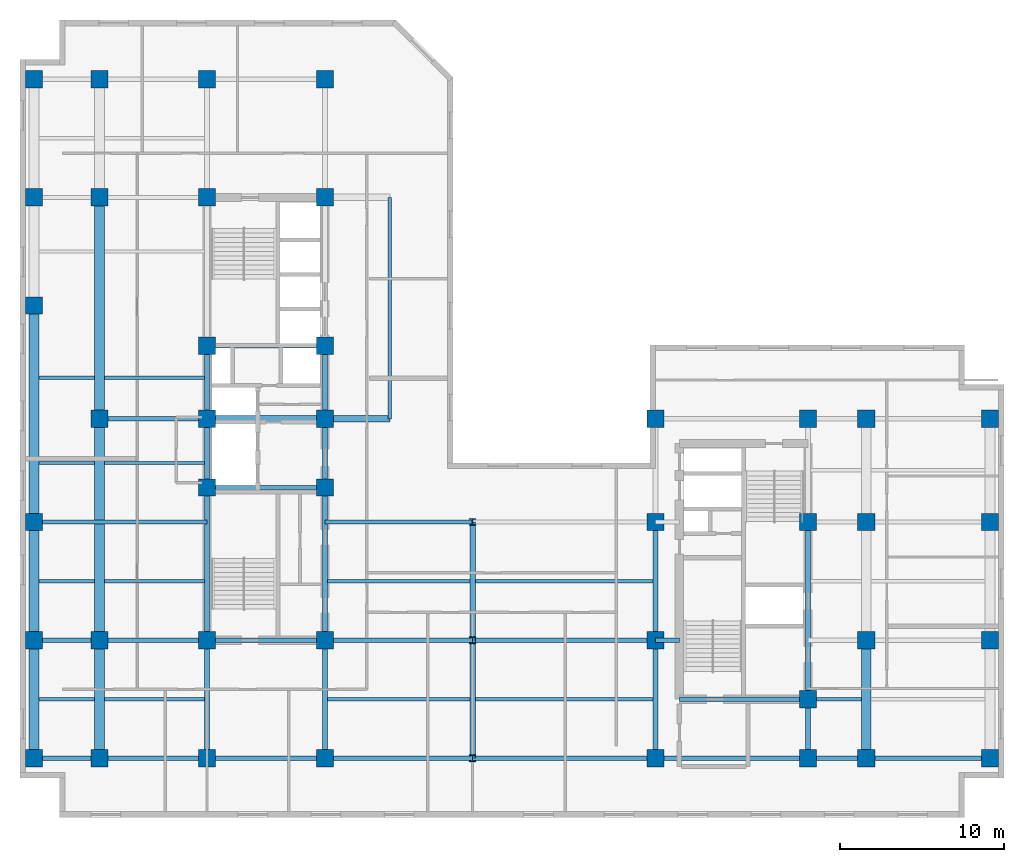
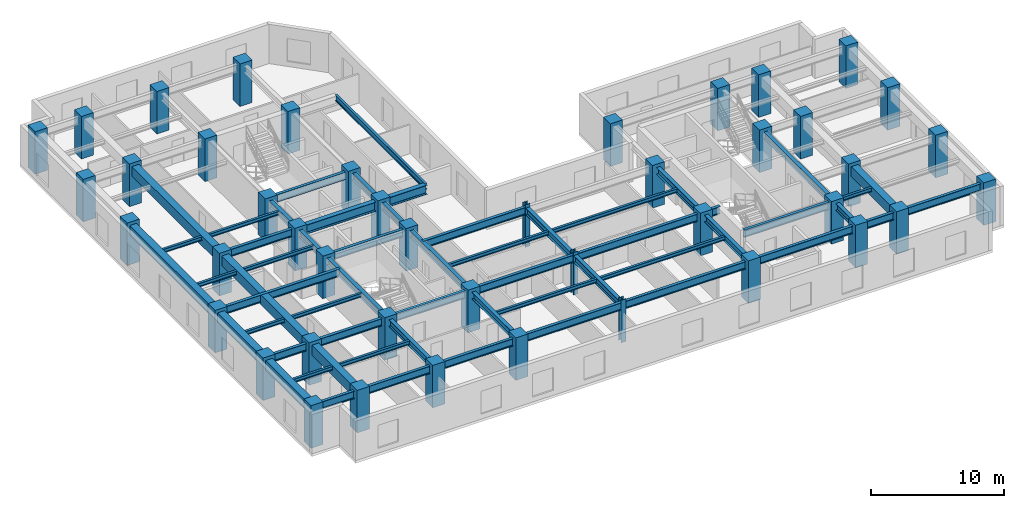
# One storey, part 1 of 10: 56 beams, 44 columns.
"""IFC4 building model written with IfcOpenShell, lengths in metres."""

from ifc_helpers import new_model, entity, si_unit, converted_unit, direction, frame, origin_with_axes, origin_2d_with_axis, place, context, subcontext, project, spatial, rectangle, i_section, extrude, material, material_profile, profile_set, type_object, element, save


model = new_model("IFC4")

# Units and contexts
model_context = context("Model", 3, precision=1e-05, world=origin_with_axes(), true_north=direction((0.0, 1.0)))
body_context = subcontext(model_context, "Body", "Model", "MODEL_VIEW")
ifc_project = project(units=[si_unit("LENGTHUNIT", "METRE"), si_unit("AREAUNIT", "SQUARE_METRE"), si_unit("VOLUMEUNIT", "CUBIC_METRE"), converted_unit("PLANEANGLEUNIT", "DEGREE", entity("IfcPlaneAngleMeasure", 0.017453292519943295), si_unit("PLANEANGLEUNIT", "RADIAN"), dimensions=[0, 0, 0, 0, 0, 0, 0]), si_unit("MASSUNIT", "GRAM", prefix="KILO"), si_unit("THERMODYNAMICTEMPERATUREUNIT", "KELVIN")], contexts=[model_context])

# Site, building, storey
site_placement = place(None, origin_with_axes())
site = spatial("IfcSite", under=ifc_project, at=site_placement, CompositionType="ELEMENT")
building_placement = place(site_placement, origin_with_axes())
building = spatial("IfcBuilding", under=site, at=building_placement, Name="Varnlund Millrace Tower", CompositionType="ELEMENT")
storey_placement = place(building_placement, frame((0.0, 0.0, 183.6), z_axis=(0.0, 0.0, 1.0), x_axis=(1.0, 0.0, 0.0)))
storey = spatial("IfcBuildingStorey", under=building, at=storey_placement, Name="L45", CompositionType="ELEMENT", Elevation=183.6)

# Columns
ifc_material_1 = material(Name="Steel ASTM A913 Grade 65", Category="steel")
ifc_material_profile_1 = material_profile(ifc_material_1, i_section(OverallWidth=0.406, OverallDepth=0.416, WebThickness=0.0298, FlangeThickness=0.048, FilletRadius=0.022, at=origin_2d_with_axis()), Name="Steel ASTM A913 Grade 65")
ifc_profile_set_1 = profile_set([ifc_material_profile_1], Name="Steel ASTM A913 Grade 65")
column_type_1 = type_object("IfcColumnType", Name="Type-Col-Int-W14X257", PredefinedType="COLUMN", material=ifc_profile_set_1)
for number, where, z_axis, x_axis, name in (
    (1, (27.6, 3.6, 0.0), (0.0, 0.0, 1.0), (1.0, 0.0, 0.0), "Type-Col-Int-W14X257"),
    (2, (27.6, 10.8, 0.0), (0.0, 0.0, 1.0), (1.0, 0.0, 0.0), "Type-Col-Int-W14X257"),
    (3, (27.6, 18.0, 0.0), (0.0, 0.0, 1.0), (1.0, 0.0, 0.0), "Type-Col-Int-W14X257"),
):
    element("IfcColumn", number, at=place(storey_placement, frame(where, z_axis=z_axis, x_axis=x_axis)), inside=storey, type_object=column_type_1, Name=name, PredefinedType="COLUMN", context=body_context, shape_type="SweptSolid", body=[
        extrude(i_section(OverallWidth=0.406, OverallDepth=0.416, WebThickness=0.0298, FlangeThickness=0.048, FilletRadius=0.022, at=origin_2d_with_axis()), origin_with_axes(), (0.0, 0.0, 1.0), 3.9),
    ])
ifc_material_2 = material(Name="Concrete C70/85", Category="concrete")
ifc_material_profile_2 = material_profile(ifc_material_2, rectangle(XDim=1.05, YDim=1.05, at=origin_2d_with_axis()), Name="Concrete C70/85")
ifc_profile_set_2 = profile_set([ifc_material_profile_2], Name="Concrete C70/85")
column_type_2 = type_object("IfcColumnType", Name="Type-Col-RC1050-C70", PredefinedType="COLUMN", material=ifc_profile_set_2)
for number, where, z_axis, x_axis, name in (
    (4, (11.4, 3.6, 0.0), (0.0, 0.0, 1.0), (1.0, 0.0, 0.0), "Type-Col-RC1050-C70"),
    (5, (11.4, 10.8, 0.0), (0.0, 0.0, 1.0), (1.0, 0.0, 0.0), "Type-Col-RC1050-C70"),
    (6, (11.4, 20.1, 0.0), (0.0, 0.0, 1.0), (1.0, 0.0, 0.0), "Type-Col-RC1050-C70"),
    (7, (11.4, 24.3, 0.0), (0.0, 0.0, 1.0), (1.0, 0.0, 0.0), "Type-Col-RC1050-C70"),
    (8, (11.4, 28.75, 0.0), (0.0, 0.0, 1.0), (1.0, 0.0, 0.0), "Type-Col-RC1050-C70"),
    (9, (11.4, 37.8, 0.0), (0.0, 0.0, 1.0), (1.0, 0.0, 0.0), "Type-Col-RC1050-C70"),
    (10, (11.4, 45.0, 0.0), (0.0, 0.0, 1.0), (1.0, 0.0, 0.0), "Type-Col-RC1050-C70"),
    (11, (18.6, 3.6, 0.0), (0.0, 0.0, 1.0), (1.0, 0.0, 0.0), "Type-Col-RC1050-C70"),
    (12, (18.6, 10.8, 0.0), (0.0, 0.0, 1.0), (1.0, 0.0, 0.0), "Type-Col-RC1050-C70"),
    (13, (18.6, 20.1, 0.0), (0.0, 0.0, 1.0), (1.0, 0.0, 0.0), "Type-Col-RC1050-C70"),
    (14, (18.6, 24.3, 0.0), (0.0, 0.0, 1.0), (1.0, 0.0, 0.0), "Type-Col-RC1050-C70"),
    (15, (18.6, 28.75, 0.0), (0.0, 0.0, 1.0), (1.0, 0.0, 0.0), "Type-Col-RC1050-C70"),
    (16, (18.6, 37.8, 0.0), (0.0, 0.0, 1.0), (1.0, 0.0, 0.0), "Type-Col-RC1050-C70"),
    (17, (18.6, 45.0, 0.0), (0.0, 0.0, 1.0), (1.0, 0.0, 0.0), "Type-Col-RC1050-C70"),
    (18, (4.85, 3.6, 0.0), (0.0, 0.0, 1.0), (1.0, 0.0, 0.0), "Type-Col-RC1050-C70"),
    (19, (4.85, 10.8, 0.0), (0.0, 0.0, 1.0), (1.0, 0.0, 0.0), "Type-Col-RC1050-C70"),
    (20, (4.85, 24.3, 0.0), (0.0, 0.0, 1.0), (1.0, 0.0, 0.0), "Type-Col-RC1050-C70"),
    (21, (4.85, 37.8, 0.0), (0.0, 0.0, 1.0), (1.0, 0.0, 0.0), "Type-Col-RC1050-C70"),
    (22, (4.85, 45.0, 0.0), (0.0, 0.0, 1.0), (1.0, 0.0, 0.0), "Type-Col-RC1050-C70"),
    (23, (0.85, 3.6, 0.0), (0.0, 0.0, 1.0), (1.0, 0.0, 0.0), "Type-Col-RC1050-C70"),
    (24, (0.85, 10.8, 0.0), (0.0, 0.0, 1.0), (1.0, 0.0, 0.0), "Type-Col-RC1050-C70"),
    (25, (0.85, 18.0, 0.0), (0.0, 0.0, 1.0), (1.0, 0.0, 0.0), "Type-Col-RC1050-C70"),
    (26, (0.85, 31.2, 0.0), (0.0, 0.0, 1.0), (1.0, 0.0, 0.0), "Type-Col-RC1050-C70"),
    (27, (0.85, 37.8, 0.0), (0.0, 0.0, 1.0), (1.0, 0.0, 0.0), "Type-Col-RC1050-C70"),
    (28, (0.85, 45.0, 0.0), (0.0, 0.0, 1.0), (1.0, 0.0, 0.0), "Type-Col-RC1050-C70"),
    (29, (38.75, 3.6, 0.0), (0.0, 0.0, 1.0), (1.0, 0.0, 0.0), "Type-Col-RC1050-C70"),
    (30, (38.75, 10.8, 0.0), (0.0, 0.0, 1.0), (1.0, 0.0, 0.0), "Type-Col-RC1050-C70"),
    (31, (38.75, 18.0, 0.0), (0.0, 0.0, 1.0), (1.0, 0.0, 0.0), "Type-Col-RC1050-C70"),
    (32, (38.75, 24.3, 0.0), (0.0, 0.0, 1.0), (1.0, 0.0, 0.0), "Type-Col-RC1050-C70"),
    (33, (48.05, 3.6, 0.0), (0.0, 0.0, 1.0), (1.0, 0.0, 0.0), "Type-Col-RC1050-C70"),
    (34, (48.05, 7.2, 0.0), (0.0, 0.0, 1.0), (1.0, 0.0, 0.0), "Type-Col-RC1050-C70"),
    (35, (48.05, 18.0, 0.0), (0.0, 0.0, 1.0), (1.0, 0.0, 0.0), "Type-Col-RC1050-C70"),
    (36, (48.05, 24.3, 0.0), (0.0, 0.0, 1.0), (1.0, 0.0, 0.0), "Type-Col-RC1050-C70"),
    (37, (51.6, 3.6, 0.0), (0.0, 0.0, 1.0), (1.0, 0.0, 0.0), "Type-Col-RC1050-C70"),
    (38, (51.6, 10.8, 0.0), (0.0, 0.0, 1.0), (1.0, 0.0, 0.0), "Type-Col-RC1050-C70"),
    (39, (51.6, 18.0, 0.0), (0.0, 0.0, 1.0), (1.0, 0.0, 0.0), "Type-Col-RC1050-C70"),
    (40, (51.6, 24.3, 0.0), (0.0, 0.0, 1.0), (1.0, 0.0, 0.0), "Type-Col-RC1050-C70"),
    (41, (59.15, 3.6, 0.0), (0.0, 0.0, 1.0), (1.0, 0.0, 0.0), "Type-Col-RC1050-C70"),
    (42, (59.15, 10.8, 0.0), (0.0, 0.0, 1.0), (1.0, 0.0, 0.0), "Type-Col-RC1050-C70"),
    (43, (59.15, 18.0, 0.0), (0.0, 0.0, 1.0), (1.0, 0.0, 0.0), "Type-Col-RC1050-C70"),
    (44, (59.15, 24.3, 0.0), (0.0, 0.0, 1.0), (1.0, 0.0, 0.0), "Type-Col-RC1050-C70"),
):
    element("IfcColumn", number, at=place(storey_placement, frame(where, z_axis=z_axis, x_axis=x_axis)), inside=storey, type_object=column_type_2, Name=name, PredefinedType="COLUMN", context=body_context, shape_type="SweptSolid", body=[
        extrude(rectangle(XDim=1.05, YDim=1.05, at=origin_2d_with_axis()), origin_with_axes(), (0.0, 0.0, 1.0), 3.9),
    ])

# Beams
ifc_material_3 = material(Name="Steel ASTM A992 Grade 50", Category="steel")
ifc_material_profile_3 = material_profile(ifc_material_3, i_section(OverallWidth=0.209, OverallDepth=0.533, WebThickness=0.0102, FlangeThickness=0.0156, FilletRadius=0.014, at=origin_2d_with_axis()), Name="Steel ASTM A992 Grade 50")
ifc_profile_set_3 = profile_set([ifc_material_profile_3], Name="Steel ASTM A992 Grade 50")
beam_type_1 = type_object("IfcBeamType", Name="Type-Beam-W21X62", PredefinedType="BEAM", material=ifc_profile_set_3)
beam_1_placement = place(storey_placement, frame((22.55, 24.3, 3.3335), z_axis=(0.0, 1.0, 0.0), x_axis=(-1.0, 0.0, 0.0)))
element("IfcBeam", 45, at=beam_1_placement, inside=storey, type_object=beam_type_1, Name="Type-Beam-W21X62", PredefinedType="BEAM", context=body_context, shape_type="SweptSolid", body=[
    extrude(i_section(OverallWidth=0.209, OverallDepth=0.533, WebThickness=0.0102, FlangeThickness=0.0156, FilletRadius=0.014, at=origin_2d_with_axis()), origin_with_axes(), (0.0, 0.0, 1.0), 13.5),
])
ifc_material_profile_4 = material_profile(ifc_material_3, i_section(OverallWidth=0.328, OverallDepth=0.628, WebThickness=0.0165, FlangeThickness=0.0277, FilletRadius=0.018, at=origin_2d_with_axis()), Name="Steel ASTM A992 Grade 50")
ifc_profile_set_4 = profile_set([ifc_material_profile_4], Name="Steel ASTM A992 Grade 50")
beam_type_2 = type_object("IfcBeamType", Name="Type-Girder-W24X146", PredefinedType="USERDEFINED", material=ifc_profile_set_4)
beam_2_placement = place(storey_placement, frame((11.4, 3.6, 3.286), z_axis=(0.0, 1.0, 0.0), x_axis=(-1.0, 0.0, 0.0)))
element("IfcBeam", 46, at=beam_2_placement, inside=storey, type_object=beam_type_2, Name="Type-Girder-W24X146", ObjectType="GIRDER", PredefinedType="USERDEFINED", context=body_context, shape_type="SweptSolid", body=[
    extrude(i_section(OverallWidth=0.328, OverallDepth=0.628, WebThickness=0.0165, FlangeThickness=0.0277, FilletRadius=0.018, at=origin_2d_with_axis()), origin_with_axes(), (0.0, 0.0, 1.0), 7.2),
])
beam_3_placement = place(storey_placement, frame((11.4, 10.8, 3.286), z_axis=(0.0, 1.0, 0.0), x_axis=(-1.0, 0.0, 0.0)))
element("IfcBeam", 47, at=beam_3_placement, inside=storey, type_object=beam_type_2, Name="Type-Girder-W24X146", ObjectType="GIRDER", PredefinedType="USERDEFINED", context=body_context, shape_type="SweptSolid", body=[
    extrude(i_section(OverallWidth=0.328, OverallDepth=0.628, WebThickness=0.0165, FlangeThickness=0.0277, FilletRadius=0.018, at=origin_2d_with_axis()), origin_with_axes(), (0.0, 0.0, 1.0), 9.3),
])
beam_4_placement = place(storey_placement, frame((11.4, 20.1, 3.286), z_axis=(0.0, 1.0, 0.0), x_axis=(-1.0, 0.0, 0.0)))
element("IfcBeam", 48, at=beam_4_placement, inside=storey, type_object=beam_type_2, Name="Type-Girder-W24X146", ObjectType="GIRDER", PredefinedType="USERDEFINED", context=body_context, shape_type="SweptSolid", body=[
    extrude(i_section(OverallWidth=0.328, OverallDepth=0.628, WebThickness=0.0165, FlangeThickness=0.0277, FilletRadius=0.018, at=origin_2d_with_axis()), origin_with_axes(), (0.0, 0.0, 1.0), 4.2),
])
beam_5_placement = place(storey_placement, frame((11.4, 24.3, 3.286), z_axis=(0.0, 1.0, 0.0), x_axis=(-1.0, 0.0, 0.0)))
element("IfcBeam", 49, at=beam_5_placement, inside=storey, type_object=beam_type_2, Name="Type-Girder-W24X146", ObjectType="GIRDER", PredefinedType="USERDEFINED", context=body_context, shape_type="SweptSolid", body=[
    extrude(i_section(OverallWidth=0.328, OverallDepth=0.628, WebThickness=0.0165, FlangeThickness=0.0277, FilletRadius=0.018, at=origin_2d_with_axis()), origin_with_axes(), (0.0, 0.0, 1.0), 4.45),
])
beam_6_placement = place(storey_placement, frame((18.6, 3.6, 3.286), z_axis=(0.0, 1.0, 0.0), x_axis=(-1.0, 0.0, 0.0)))
element("IfcBeam", 50, at=beam_6_placement, inside=storey, type_object=beam_type_2, Name="Type-Girder-W24X146", ObjectType="GIRDER", PredefinedType="USERDEFINED", context=body_context, shape_type="SweptSolid", body=[
    extrude(i_section(OverallWidth=0.328, OverallDepth=0.628, WebThickness=0.0165, FlangeThickness=0.0277, FilletRadius=0.018, at=origin_2d_with_axis()), origin_with_axes(), (0.0, 0.0, 1.0), 7.2),
])
beam_7_placement = place(storey_placement, frame((18.6, 10.8, 3.286), z_axis=(0.0, 1.0, 0.0), x_axis=(-1.0, 0.0, 0.0)))
element("IfcBeam", 51, at=beam_7_placement, inside=storey, type_object=beam_type_2, Name="Type-Girder-W24X146", ObjectType="GIRDER", PredefinedType="USERDEFINED", context=body_context, shape_type="SweptSolid", body=[
    extrude(i_section(OverallWidth=0.328, OverallDepth=0.628, WebThickness=0.0165, FlangeThickness=0.0277, FilletRadius=0.018, at=origin_2d_with_axis()), origin_with_axes(), (0.0, 0.0, 1.0), 9.3),
])
beam_8_placement = place(storey_placement, frame((18.6, 20.1, 3.286), z_axis=(0.0, 1.0, 0.0), x_axis=(-1.0, 0.0, 0.0)))
element("IfcBeam", 52, at=beam_8_placement, inside=storey, type_object=beam_type_2, Name="Type-Girder-W24X146", ObjectType="GIRDER", PredefinedType="USERDEFINED", context=body_context, shape_type="SweptSolid", body=[
    extrude(i_section(OverallWidth=0.328, OverallDepth=0.628, WebThickness=0.0165, FlangeThickness=0.0277, FilletRadius=0.018, at=origin_2d_with_axis()), origin_with_axes(), (0.0, 0.0, 1.0), 4.2),
])
beam_9_placement = place(storey_placement, frame((18.6, 24.3, 3.286), z_axis=(0.0, 1.0, 0.0), x_axis=(-1.0, 0.0, 0.0)))
element("IfcBeam", 53, at=beam_9_placement, inside=storey, type_object=beam_type_2, Name="Type-Girder-W24X146", ObjectType="GIRDER", PredefinedType="USERDEFINED", context=body_context, shape_type="SweptSolid", body=[
    extrude(i_section(OverallWidth=0.328, OverallDepth=0.628, WebThickness=0.0165, FlangeThickness=0.0277, FilletRadius=0.018, at=origin_2d_with_axis()), origin_with_axes(), (0.0, 0.0, 1.0), 4.45),
])
for number, where, z_axis, x_axis, name in (
    (54, (27.6, 3.6, 3.286), (0.0, 1.0, 0.0), (-1.0, 0.0, 0.0), "Type-Girder-W24X146"),
    (55, (27.6, 10.8, 3.286), (0.0, 1.0, 0.0), (-1.0, 0.0, 0.0), "Type-Girder-W24X146"),
    (56, (38.75, 3.6, 3.286), (0.0, 1.0, 0.0), (-1.0, 0.0, 0.0), "Type-Girder-W24X146"),
    (57, (38.75, 10.8, 3.286), (0.0, 1.0, 0.0), (-1.0, 0.0, 0.0), "Type-Girder-W24X146"),
):
    element("IfcBeam", number, at=place(storey_placement, frame(where, z_axis=z_axis, x_axis=x_axis)), inside=storey, type_object=beam_type_2, Name=name, ObjectType="GIRDER", PredefinedType="USERDEFINED", context=body_context, shape_type="SweptSolid", body=[
        extrude(i_section(OverallWidth=0.328, OverallDepth=0.628, WebThickness=0.0165, FlangeThickness=0.0277, FilletRadius=0.018, at=origin_2d_with_axis()), origin_with_axes(), (0.0, 0.0, 1.0), 7.2),
    ])
beam_10_placement = place(storey_placement, frame((48.05, 3.6, 3.286), z_axis=(0.0, 1.0, 0.0), x_axis=(-1.0, 0.0, 0.0)))
element("IfcBeam", 58, at=beam_10_placement, inside=storey, type_object=beam_type_2, Name="Type-Girder-W24X146", ObjectType="GIRDER", PredefinedType="USERDEFINED", context=body_context, shape_type="SweptSolid", body=[
    extrude(i_section(OverallWidth=0.328, OverallDepth=0.628, WebThickness=0.0165, FlangeThickness=0.0277, FilletRadius=0.018, at=origin_2d_with_axis()), origin_with_axes(), (0.0, 0.0, 1.0), 3.6),
])
beam_11_placement = place(storey_placement, frame((48.05, 7.2, 3.286), z_axis=(0.0, 1.0, 0.0), x_axis=(-1.0, 0.0, 0.0)))
element("IfcBeam", 59, at=beam_11_placement, inside=storey, type_object=beam_type_2, Name="Type-Girder-W24X146", ObjectType="GIRDER", PredefinedType="USERDEFINED", context=body_context, shape_type="SweptSolid", body=[
    extrude(i_section(OverallWidth=0.328, OverallDepth=0.628, WebThickness=0.0165, FlangeThickness=0.0277, FilletRadius=0.018, at=origin_2d_with_axis()), origin_with_axes(), (0.0, 0.0, 1.0), 10.8),
])
ifc_material_profile_5 = material_profile(ifc_material_3, i_section(OverallWidth=0.256, OverallDepth=0.693, WebThickness=0.0145, FlangeThickness=0.0236, FilletRadius=0.018, at=origin_2d_with_axis()), Name="Steel ASTM A992 Grade 50")
ifc_profile_set_5 = profile_set([ifc_material_profile_5], Name="Steel ASTM A992 Grade 50")
beam_type_3 = type_object("IfcBeamType", Name="Type-Girder-W27X114", PredefinedType="USERDEFINED", material=ifc_profile_set_5)
beam_12_placement = place(storey_placement, frame((0.85, 3.6, 3.2535), z_axis=(1.0, 0.0, 0.0), x_axis=(0.0, 1.0, 0.0)))
element("IfcBeam", 60, at=beam_12_placement, inside=storey, type_object=beam_type_3, Name="Type-Girder-W27X114", ObjectType="GIRDER", PredefinedType="USERDEFINED", context=body_context, shape_type="SweptSolid", body=[
    extrude(i_section(OverallWidth=0.256, OverallDepth=0.693, WebThickness=0.0145, FlangeThickness=0.0236, FilletRadius=0.018, at=origin_2d_with_axis()), origin_with_axes(), (0.0, 0.0, 1.0), 4.0),
])
beam_13_placement = place(storey_placement, frame((4.85, 3.6, 3.2535), z_axis=(1.0, 0.0, 0.0), x_axis=(0.0, 1.0, 0.0)))
element("IfcBeam", 61, at=beam_13_placement, inside=storey, type_object=beam_type_3, Name="Type-Girder-W27X114", ObjectType="GIRDER", PredefinedType="USERDEFINED", context=body_context, shape_type="SweptSolid", body=[
    extrude(i_section(OverallWidth=0.256, OverallDepth=0.693, WebThickness=0.0145, FlangeThickness=0.0236, FilletRadius=0.018, at=origin_2d_with_axis()), origin_with_axes(), (0.0, 0.0, 1.0), 6.55),
])
beam_14_placement = place(storey_placement, frame((11.4, 3.6, 3.2535), z_axis=(1.0, 0.0, 0.0), x_axis=(0.0, 1.0, 0.0)))
element("IfcBeam", 62, at=beam_14_placement, inside=storey, type_object=beam_type_3, Name="Type-Girder-W27X114", ObjectType="GIRDER", PredefinedType="USERDEFINED", context=body_context, shape_type="SweptSolid", body=[
    extrude(i_section(OverallWidth=0.256, OverallDepth=0.693, WebThickness=0.0145, FlangeThickness=0.0236, FilletRadius=0.018, at=origin_2d_with_axis()), origin_with_axes(), (0.0, 0.0, 1.0), 7.2),
])
beam_15_placement = place(storey_placement, frame((18.6, 3.6, 3.2535), z_axis=(1.0, 0.0, 0.0), x_axis=(0.0, 1.0, 0.0)))
element("IfcBeam", 63, at=beam_15_placement, inside=storey, type_object=beam_type_3, Name="Type-Girder-W27X114", ObjectType="GIRDER", PredefinedType="USERDEFINED", context=body_context, shape_type="SweptSolid", body=[
    extrude(i_section(OverallWidth=0.256, OverallDepth=0.693, WebThickness=0.0145, FlangeThickness=0.0236, FilletRadius=0.018, at=origin_2d_with_axis()), origin_with_axes(), (0.0, 0.0, 1.0), 9.0),
])
beam_16_placement = place(storey_placement, frame((27.6, 3.6, 3.2535), z_axis=(1.0, 0.0, 0.0), x_axis=(0.0, 1.0, 0.0)))
element("IfcBeam", 64, at=beam_16_placement, inside=storey, type_object=beam_type_3, Name="Type-Girder-W27X114", ObjectType="GIRDER", PredefinedType="USERDEFINED", context=body_context, shape_type="SweptSolid", body=[
    extrude(i_section(OverallWidth=0.256, OverallDepth=0.693, WebThickness=0.0145, FlangeThickness=0.0236, FilletRadius=0.018, at=origin_2d_with_axis()), origin_with_axes(), (0.0, 0.0, 1.0), 11.15),
])
beam_17_placement = place(storey_placement, frame((38.75, 3.6, 3.2535), z_axis=(1.0, 0.0, 0.0), x_axis=(0.0, 1.0, 0.0)))
element("IfcBeam", 65, at=beam_17_placement, inside=storey, type_object=beam_type_3, Name="Type-Girder-W27X114", ObjectType="GIRDER", PredefinedType="USERDEFINED", context=body_context, shape_type="SweptSolid", body=[
    extrude(i_section(OverallWidth=0.256, OverallDepth=0.693, WebThickness=0.0145, FlangeThickness=0.0236, FilletRadius=0.018, at=origin_2d_with_axis()), origin_with_axes(), (0.0, 0.0, 1.0), 9.3),
])
beam_18_placement = place(storey_placement, frame((48.05, 3.6, 3.2535), z_axis=(1.0, 0.0, 0.0), x_axis=(0.0, 1.0, 0.0)))
element("IfcBeam", 66, at=beam_18_placement, inside=storey, type_object=beam_type_3, Name="Type-Girder-W27X114", ObjectType="GIRDER", PredefinedType="USERDEFINED", context=body_context, shape_type="SweptSolid", body=[
    extrude(i_section(OverallWidth=0.256, OverallDepth=0.693, WebThickness=0.0145, FlangeThickness=0.0236, FilletRadius=0.018, at=origin_2d_with_axis()), origin_with_axes(), (0.0, 0.0, 1.0), 3.55),
])
beam_19_placement = place(storey_placement, frame((51.6, 3.6, 3.2535), z_axis=(1.0, 0.0, 0.0), x_axis=(0.0, 1.0, 0.0)))
element("IfcBeam", 67, at=beam_19_placement, inside=storey, type_object=beam_type_3, Name="Type-Girder-W27X114", ObjectType="GIRDER", PredefinedType="USERDEFINED", context=body_context, shape_type="SweptSolid", body=[
    extrude(i_section(OverallWidth=0.256, OverallDepth=0.693, WebThickness=0.0145, FlangeThickness=0.0236, FilletRadius=0.018, at=origin_2d_with_axis()), origin_with_axes(), (0.0, 0.0, 1.0), 7.55),
])
beam_20_placement = place(storey_placement, frame((40.2, 7.2, 3.2535), z_axis=(1.0, 0.0, 0.0), x_axis=(0.0, 1.0, 0.0)))
element("IfcBeam", 68, at=beam_20_placement, inside=storey, type_object=beam_type_3, Name="Type-Girder-W27X114", ObjectType="GIRDER", PredefinedType="USERDEFINED", context=body_context, shape_type="SweptSolid", body=[
    extrude(i_section(OverallWidth=0.256, OverallDepth=0.693, WebThickness=0.0145, FlangeThickness=0.0236, FilletRadius=0.018, at=origin_2d_with_axis()), origin_with_axes(), (0.0, 0.0, 1.0), 7.85),
])
beam_21_placement = place(storey_placement, frame((0.85, 10.8, 3.2535), z_axis=(1.0, 0.0, 0.0), x_axis=(0.0, 1.0, 0.0)))
element("IfcBeam", 69, at=beam_21_placement, inside=storey, type_object=beam_type_3, Name="Type-Girder-W27X114", ObjectType="GIRDER", PredefinedType="USERDEFINED", context=body_context, shape_type="SweptSolid", body=[
    extrude(i_section(OverallWidth=0.256, OverallDepth=0.693, WebThickness=0.0145, FlangeThickness=0.0236, FilletRadius=0.018, at=origin_2d_with_axis()), origin_with_axes(), (0.0, 0.0, 1.0), 4.0),
])
beam_22_placement = place(storey_placement, frame((4.85, 10.8, 3.2535), z_axis=(1.0, 0.0, 0.0), x_axis=(0.0, 1.0, 0.0)))
element("IfcBeam", 70, at=beam_22_placement, inside=storey, type_object=beam_type_3, Name="Type-Girder-W27X114", ObjectType="GIRDER", PredefinedType="USERDEFINED", context=body_context, shape_type="SweptSolid", body=[
    extrude(i_section(OverallWidth=0.256, OverallDepth=0.693, WebThickness=0.0145, FlangeThickness=0.0236, FilletRadius=0.018, at=origin_2d_with_axis()), origin_with_axes(), (0.0, 0.0, 1.0), 6.55),
])
beam_23_placement = place(storey_placement, frame((11.4, 10.8, 3.2535), z_axis=(1.0, 0.0, 0.0), x_axis=(0.0, 1.0, 0.0)))
element("IfcBeam", 71, at=beam_23_placement, inside=storey, type_object=beam_type_3, Name="Type-Girder-W27X114", ObjectType="GIRDER", PredefinedType="USERDEFINED", context=body_context, shape_type="SweptSolid", body=[
    extrude(i_section(OverallWidth=0.256, OverallDepth=0.693, WebThickness=0.0145, FlangeThickness=0.0236, FilletRadius=0.018, at=origin_2d_with_axis()), origin_with_axes(), (0.0, 0.0, 1.0), 7.2),
])
beam_24_placement = place(storey_placement, frame((18.6, 10.8, 3.2535), z_axis=(1.0, 0.0, 0.0), x_axis=(0.0, 1.0, 0.0)))
element("IfcBeam", 72, at=beam_24_placement, inside=storey, type_object=beam_type_3, Name="Type-Girder-W27X114", ObjectType="GIRDER", PredefinedType="USERDEFINED", context=body_context, shape_type="SweptSolid", body=[
    extrude(i_section(OverallWidth=0.256, OverallDepth=0.693, WebThickness=0.0145, FlangeThickness=0.0236, FilletRadius=0.018, at=origin_2d_with_axis()), origin_with_axes(), (0.0, 0.0, 1.0), 9.0),
])
beam_25_placement = place(storey_placement, frame((27.6, 10.8, 3.2535), z_axis=(1.0, 0.0, 0.0), x_axis=(0.0, 1.0, 0.0)))
element("IfcBeam", 73, at=beam_25_placement, inside=storey, type_object=beam_type_3, Name="Type-Girder-W27X114", ObjectType="GIRDER", PredefinedType="USERDEFINED", context=body_context, shape_type="SweptSolid", body=[
    extrude(i_section(OverallWidth=0.256, OverallDepth=0.693, WebThickness=0.0145, FlangeThickness=0.0236, FilletRadius=0.018, at=origin_2d_with_axis()), origin_with_axes(), (0.0, 0.0, 1.0), 11.15),
])
beam_26_placement = place(storey_placement, frame((38.75, 10.8, 3.2535), z_axis=(1.0, 0.0, 0.0), x_axis=(0.0, 1.0, 0.0)))
element("IfcBeam", 74, at=beam_26_placement, inside=storey, type_object=beam_type_3, Name="Type-Girder-W27X114", ObjectType="GIRDER", PredefinedType="USERDEFINED", context=body_context, shape_type="SweptSolid", body=[
    extrude(i_section(OverallWidth=0.256, OverallDepth=0.693, WebThickness=0.0145, FlangeThickness=0.0236, FilletRadius=0.018, at=origin_2d_with_axis()), origin_with_axes(), (0.0, 0.0, 1.0), 1.45),
])
beam_27_placement = place(storey_placement, frame((0.85, 18.0, 3.2535), z_axis=(1.0, 0.0, 0.0), x_axis=(0.0, 1.0, 0.0)))
element("IfcBeam", 75, at=beam_27_placement, inside=storey, type_object=beam_type_3, Name="Type-Girder-W27X114", ObjectType="GIRDER", PredefinedType="USERDEFINED", context=body_context, shape_type="SweptSolid", body=[
    extrude(i_section(OverallWidth=0.256, OverallDepth=0.693, WebThickness=0.0145, FlangeThickness=0.0236, FilletRadius=0.018, at=origin_2d_with_axis()), origin_with_axes(), (0.0, 0.0, 1.0), 10.55),
])
beam_28_placement = place(storey_placement, frame((18.6, 18.0, 3.2535), z_axis=(1.0, 0.0, 0.0), x_axis=(0.0, 1.0, 0.0)))
element("IfcBeam", 76, at=beam_28_placement, inside=storey, type_object=beam_type_3, Name="Type-Girder-W27X114", ObjectType="GIRDER", PredefinedType="USERDEFINED", context=body_context, shape_type="SweptSolid", body=[
    extrude(i_section(OverallWidth=0.256, OverallDepth=0.693, WebThickness=0.0145, FlangeThickness=0.0236, FilletRadius=0.018, at=origin_2d_with_axis()), origin_with_axes(), (0.0, 0.0, 1.0), 9.0),
])
beam_29_placement = place(storey_placement, frame((11.4, 20.1, 3.2535), z_axis=(1.0, 0.0, 0.0), x_axis=(0.0, 1.0, 0.0)))
element("IfcBeam", 77, at=beam_29_placement, inside=storey, type_object=beam_type_3, Name="Type-Girder-W27X114", ObjectType="GIRDER", PredefinedType="USERDEFINED", context=body_context, shape_type="SweptSolid", body=[
    extrude(i_section(OverallWidth=0.256, OverallDepth=0.693, WebThickness=0.0145, FlangeThickness=0.0236, FilletRadius=0.018, at=origin_2d_with_axis()), origin_with_axes(), (0.0, 0.0, 1.0), 7.2),
])
beam_30_placement = place(storey_placement, frame((4.85, 24.3, 3.2535), z_axis=(1.0, 0.0, 0.0), x_axis=(0.0, 1.0, 0.0)))
element("IfcBeam", 78, at=beam_30_placement, inside=storey, type_object=beam_type_3, Name="Type-Girder-W27X114", ObjectType="GIRDER", PredefinedType="USERDEFINED", context=body_context, shape_type="SweptSolid", body=[
    extrude(i_section(OverallWidth=0.256, OverallDepth=0.693, WebThickness=0.0145, FlangeThickness=0.0236, FilletRadius=0.018, at=origin_2d_with_axis()), origin_with_axes(), (0.0, 0.0, 1.0), 6.55),
])
beam_31_placement = place(storey_placement, frame((11.4, 28.75, 3.2535), z_axis=(1.0, 0.0, 0.0), x_axis=(0.0, 1.0, 0.0)))
element("IfcBeam", 79, at=beam_31_placement, inside=storey, type_object=beam_type_3, Name="Type-Girder-W27X114", ObjectType="GIRDER", PredefinedType="USERDEFINED", context=body_context, shape_type="SweptSolid", body=[
    extrude(i_section(OverallWidth=0.256, OverallDepth=0.693, WebThickness=0.0145, FlangeThickness=0.0236, FilletRadius=0.018, at=origin_2d_with_axis()), origin_with_axes(), (0.0, 0.0, 1.0), 7.2),
])
ifc_material_profile_6 = material_profile(ifc_material_3, i_section(OverallWidth=0.399, OverallDepth=0.855, WebThickness=0.0182, FlangeThickness=0.0292, FilletRadius=0.022, at=origin_2d_with_axis()), Name="Steel ASTM A992 Grade 50")
ifc_profile_set_6 = profile_set([ifc_material_profile_6], Name="Steel ASTM A992 Grade 50")
beam_type_4 = type_object("IfcBeamType", Name="Type-Girder-W33X201", PredefinedType="USERDEFINED", material=ifc_profile_set_6)
beam_32_placement = place(storey_placement, frame((11.4, 24.3, 3.1725), z_axis=(1.0, 0.0, 0.0), x_axis=(0.0, 1.0, 0.0)))
element("IfcBeam", 80, at=beam_32_placement, inside=storey, type_object=beam_type_4, Name="Type-Girder-W33X201", ObjectType="GIRDER", PredefinedType="USERDEFINED", context=body_context, shape_type="SweptSolid", body=[
    extrude(i_section(OverallWidth=0.399, OverallDepth=0.855, WebThickness=0.0182, FlangeThickness=0.0292, FilletRadius=0.022, at=origin_2d_with_axis()), origin_with_axes(), (0.0, 0.0, 1.0), 11.15),
])
ifc_material_profile_7 = material_profile(ifc_material_3, i_section(OverallWidth=0.204, OverallDepth=0.35, WebThickness=0.0086, FlangeThickness=0.0151, FilletRadius=0.013, at=origin_2d_with_axis()), Name="Steel ASTM A992 Grade 50")
ifc_profile_set_7 = profile_set([ifc_material_profile_7], Name="Steel ASTM A992 Grade 50")
beam_type_5 = type_object("IfcBeamType", Name="Type-Joist-W14X48", PredefinedType="JOIST", material=ifc_profile_set_7)
for number, where, z_axis, x_axis, name in (
    (81, (1.15, 7.2, 3.425), (1.0, 0.0, 0.0), (0.0, 1.0, 0.0), "Type-Joist-W14X48"),
    (82, (1.15, 14.4, 3.425), (1.0, 0.0, 0.0), (0.0, 1.0, 0.0), "Type-Joist-W14X48"),
    (83, (1.15, 21.6, 3.425), (1.0, 0.0, 0.0), (0.0, 1.0, 0.0), "Type-Joist-W14X48"),
    (84, (1.15, 26.8, 3.425), (1.0, 0.0, 0.0), (0.0, 1.0, 0.0), "Type-Joist-W14X48"),
):
    element("IfcBeam", number, at=place(storey_placement, frame(where, z_axis=z_axis, x_axis=x_axis)), inside=storey, type_object=beam_type_5, Name=name, PredefinedType="JOIST", context=body_context, shape_type="SweptSolid", body=[
        extrude(i_section(OverallWidth=0.204, OverallDepth=0.35, WebThickness=0.0086, FlangeThickness=0.0151, FilletRadius=0.013, at=origin_2d_with_axis()), origin_with_axes(), (0.0, 0.0, 1.0), 3.4),
    ])
for number, where, z_axis, x_axis, name in (
    (85, (5.15, 7.2, 3.425), (1.0, 0.0, 0.0), (0.0, 1.0, 0.0), "Type-Joist-W14X48"),
    (86, (5.15, 14.4, 3.425), (1.0, 0.0, 0.0), (0.0, 1.0, 0.0), "Type-Joist-W14X48"),
    (87, (5.15, 21.6, 3.425), (1.0, 0.0, 0.0), (0.0, 1.0, 0.0), "Type-Joist-W14X48"),
    (88, (5.15, 26.8, 3.425), (1.0, 0.0, 0.0), (0.0, 1.0, 0.0), "Type-Joist-W14X48"),
):
    element("IfcBeam", number, at=place(storey_placement, frame(where, z_axis=z_axis, x_axis=x_axis)), inside=storey, type_object=beam_type_5, Name=name, PredefinedType="JOIST", context=body_context, shape_type="SweptSolid", body=[
        extrude(i_section(OverallWidth=0.204, OverallDepth=0.35, WebThickness=0.0086, FlangeThickness=0.0151, FilletRadius=0.013, at=origin_2d_with_axis()), origin_with_axes(), (0.0, 0.0, 1.0), 6.086),
    ])
beam_33_placement = place(storey_placement, frame((48.214, 7.2, 3.425), z_axis=(1.0, 0.0, 0.0), x_axis=(0.0, 1.0, 0.0)))
element("IfcBeam", 89, at=beam_33_placement, inside=storey, type_object=beam_type_5, Name="Type-Joist-W14X48", PredefinedType="JOIST", context=body_context, shape_type="SweptSolid", body=[
    extrude(i_section(OverallWidth=0.204, OverallDepth=0.35, WebThickness=0.0086, FlangeThickness=0.0151, FilletRadius=0.013, at=origin_2d_with_axis()), origin_with_axes(), (0.0, 0.0, 1.0), 3.086),
])
for number, where, z_axis, x_axis, name in (
    (90, (18.764, 7.2, 3.425), (1.0, 0.0, 0.0), (0.0, 1.0, 0.0), "Type-Joist-W14X48"),
    (91, (18.764, 14.4, 3.425), (1.0, 0.0, 0.0), (0.0, 1.0, 0.0), "Type-Joist-W14X48"),
):
    element("IfcBeam", number, at=place(storey_placement, frame(where, z_axis=z_axis, x_axis=x_axis)), inside=storey, type_object=beam_type_5, Name=name, PredefinedType="JOIST", context=body_context, shape_type="SweptSolid", body=[
        extrude(i_section(OverallWidth=0.204, OverallDepth=0.35, WebThickness=0.0086, FlangeThickness=0.0151, FilletRadius=0.013, at=origin_2d_with_axis()), origin_with_axes(), (0.0, 0.0, 1.0), 8.672),
    ])
for number, where, z_axis, x_axis, name in (
    (92, (27.764, 7.2, 3.425), (1.0, 0.0, 0.0), (0.0, 1.0, 0.0), "Type-Joist-W14X48"),
    (93, (27.764, 14.4, 3.425), (1.0, 0.0, 0.0), (0.0, 1.0, 0.0), "Type-Joist-W14X48"),
):
    element("IfcBeam", number, at=place(storey_placement, frame(where, z_axis=z_axis, x_axis=x_axis)), inside=storey, type_object=beam_type_5, Name=name, PredefinedType="JOIST", context=body_context, shape_type="SweptSolid", body=[
        extrude(i_section(OverallWidth=0.204, OverallDepth=0.35, WebThickness=0.0086, FlangeThickness=0.0151, FilletRadius=0.013, at=origin_2d_with_axis()), origin_with_axes(), (0.0, 0.0, 1.0), 10.822),
    ])
ifc_material_profile_8 = material_profile(ifc_material_2, rectangle(XDim=0.6, YDim=0.9, at=origin_2d_with_axis()), Name="Concrete C70/85")
ifc_profile_set_8 = profile_set([ifc_material_profile_8], Name="Concrete C70/85")
beam_type_6 = type_object("IfcBeamType", Name="Type-Spandrel-RC600X900", PredefinedType="SPANDREL", material=ifc_profile_set_8)
for number, where, z_axis, x_axis, name in (
    (94, (0.85, 3.6, 3.15), (0.0, 1.0, 0.0), (-1.0, 0.0, 0.0), "Type-Spandrel-RC600X900"),
    (95, (0.85, 10.8, 3.15), (0.0, 1.0, 0.0), (-1.0, 0.0, 0.0), "Type-Spandrel-RC600X900"),
):
    element("IfcBeam", number, at=place(storey_placement, frame(where, z_axis=z_axis, x_axis=x_axis)), inside=storey, type_object=beam_type_6, Name=name, PredefinedType="SPANDREL", context=body_context, shape_type="SweptSolid", body=[
        extrude(rectangle(XDim=0.6, YDim=0.9, at=origin_2d_with_axis()), origin_with_axes(), (0.0, 0.0, 1.0), 7.2),
    ])
beam_34_placement = place(storey_placement, frame((0.85, 18.0, 3.15), z_axis=(0.0, 1.0, 0.0), x_axis=(-1.0, 0.0, 0.0)))
element("IfcBeam", 96, at=beam_34_placement, inside=storey, type_object=beam_type_6, Name="Type-Spandrel-RC600X900", PredefinedType="SPANDREL", context=body_context, shape_type="SweptSolid", body=[
    extrude(rectangle(XDim=0.6, YDim=0.9, at=origin_2d_with_axis()), origin_with_axes(), (0.0, 0.0, 1.0), 13.2),
])
beam_35_placement = place(storey_placement, frame((4.85, 3.6, 3.15), z_axis=(0.0, 1.0, 0.0), x_axis=(-1.0, 0.0, 0.0)))
element("IfcBeam", 97, at=beam_35_placement, inside=storey, type_object=beam_type_6, Name="Type-Spandrel-RC600X900", PredefinedType="SPANDREL", context=body_context, shape_type="SweptSolid", body=[
    extrude(rectangle(XDim=0.6, YDim=0.9, at=origin_2d_with_axis()), origin_with_axes(), (0.0, 0.0, 1.0), 7.2),
])
for number, where, z_axis, x_axis, name in (
    (98, (4.85, 10.8, 3.15), (0.0, 1.0, 0.0), (-1.0, 0.0, 0.0), "Type-Spandrel-RC600X900"),
    (99, (4.85, 24.3, 3.15), (0.0, 1.0, 0.0), (-1.0, 0.0, 0.0), "Type-Spandrel-RC600X900"),
):
    element("IfcBeam", number, at=place(storey_placement, frame(where, z_axis=z_axis, x_axis=x_axis)), inside=storey, type_object=beam_type_6, Name=name, PredefinedType="SPANDREL", context=body_context, shape_type="SweptSolid", body=[
        extrude(rectangle(XDim=0.6, YDim=0.9, at=origin_2d_with_axis()), origin_with_axes(), (0.0, 0.0, 1.0), 13.5),
    ])
beam_36_placement = place(storey_placement, frame((51.6, 3.6, 3.15), z_axis=(0.0, 1.0, 0.0), x_axis=(-1.0, 0.0, 0.0)))
element("IfcBeam", 100, at=beam_36_placement, inside=storey, type_object=beam_type_6, Name="Type-Spandrel-RC600X900", PredefinedType="SPANDREL", context=body_context, shape_type="SweptSolid", body=[
    extrude(rectangle(XDim=0.6, YDim=0.9, at=origin_2d_with_axis()), origin_with_axes(), (0.0, 0.0, 1.0), 7.2),
])

save(model, "model.ifc")
